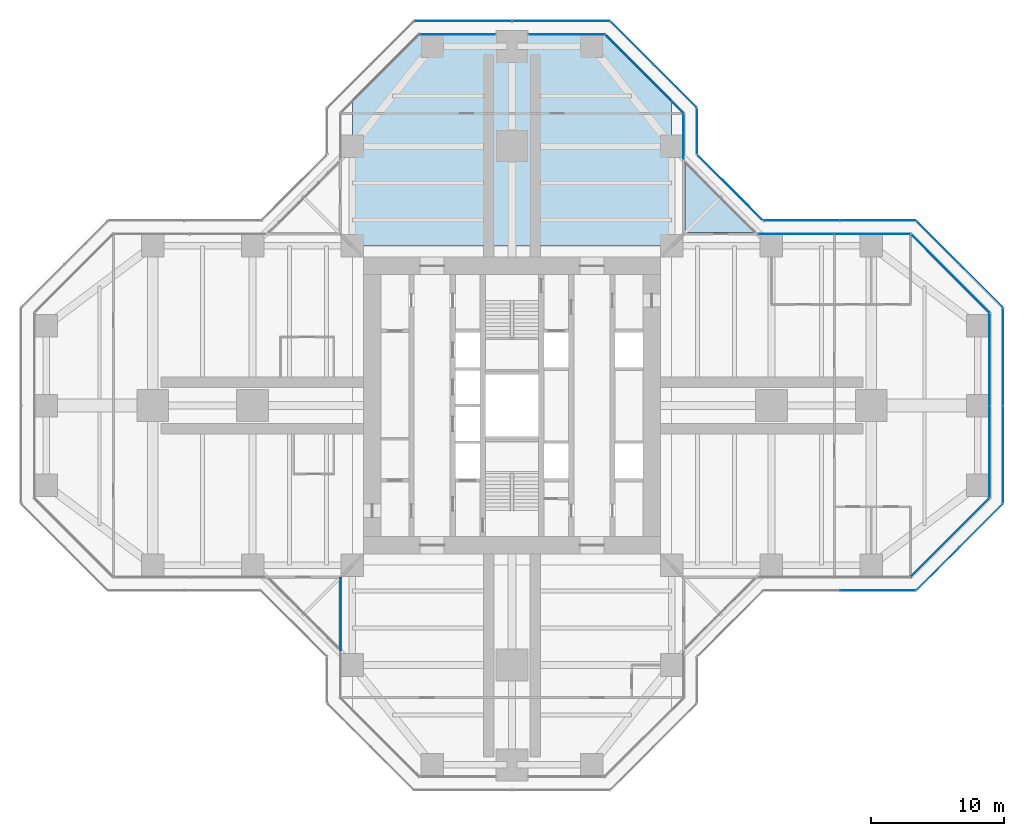
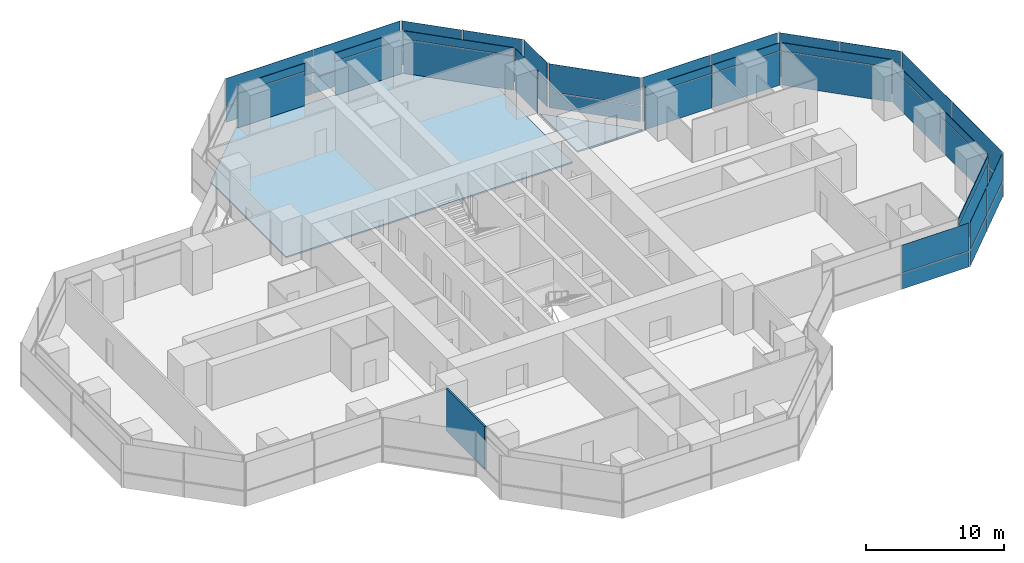
# One storey, part 14 of 19: 50 plates, 2 slabs, 1 wall, 17 elements without a shape of their own.
"""IFC4 building model written with IfcOpenShell, lengths in metres."""

from ifc_helpers import new_model, si_unit, direction, frame, frame_2d, origin, origin_2d, place, context, subcontext, project, spatial, polyline, rectangle, outline, extrude, material, layer, layer_set, type_object, element, aggregate, save


model = new_model("IFC4")

# Units and contexts
model_context = context("Model", 3, precision=1e-05, world=origin(), true_north=direction((0.0, 1.0)))
body_context = subcontext(model_context, "Body", "Model", "MODEL_VIEW")
ifc_project = project(units=[si_unit("LENGTHUNIT", "METRE"), si_unit("AREAUNIT", "SQUARE_METRE"), si_unit("VOLUMEUNIT", "CUBIC_METRE"), si_unit("PLANEANGLEUNIT", "RADIAN"), si_unit("MASSUNIT", "GRAM", prefix="KILO")], contexts=[model_context])

# Site, building, storey
site_placement = place(None, origin())
site = spatial("IfcSite", under=ifc_project, at=site_placement, CompositionType="ELEMENT")
building_placement = place(site_placement, origin())
building = spatial("IfcBuilding", under=site, at=building_placement, Name="Mizan Broadcast Tower", CompositionType="ELEMENT")
storey_placement = place(building_placement, frame((0.0, 0.0, 128.10009765625)))
storey = spatial("IfcBuildingStorey", under=building, at=storey_placement, Name="L28", CompositionType="ELEMENT", Elevation=128.10009765625)

# Slab
ifc_material_1 = material(Name="Concrete C32/40", Category="concrete")
ifc_layer_1 = layer(ifc_material_1, 0.1298828125)
ifc_layer_set_1 = layer_set([ifc_layer_1], Name="Concrete C32/40")
slab_type_1 = type_object("IfcSlabType", Name="COMPOSITE DECK SLAB 130", PredefinedType="FLOOR", material=ifc_layer_set_1)
slab_1_placement = place(storey_placement, frame((0.0, 0.0, -0.130126953125)))
element("IfcSlab", 1, at=slab_1_placement, inside=storey, type_object=slab_type_1, Name="Floor slab L28 north arm", PredefinedType="FLOOR", context=body_context, shape_type="SweptSolid", body=[
    extrude(outline(polyline([(-7.0, 28.0), (-12.0, 23.0), (-12.0, 12.0), (12.0, 12.0), (12.0, 23.0), (7.0, 28.0), (-7.0, 28.0)])), origin(), (0.0, 0.0, 1.0), 0.130126953125),
])

# Curtain wall, plate
ifc_material_2 = material(Name="Aluminium framed glazing", Category="aluminium")
curtain_wall_type_1 = type_object("IfcCurtainWallType", Name="INNER SKIN MID ZONE", PredefinedType="USERDEFINED", material=ifc_material_2)
curtain_wall_1_placement = place(storey_placement, origin())
curtain_wall_1 = element("IfcCurtainWall", 2, at=curtain_wall_1_placement, inside=storey, type_object=curtain_wall_type_1, Name="Inner skin mid zone L28 E chamfer", ObjectType="INNER SKIN MID ZONE", PredefinedType="USERDEFINED")
ifc_material_3 = material(Name="Double glazing, clear low-e", Category="glass")
ifc_layer_2 = layer(ifc_material_3, 0.028076171875)
ifc_layer_set_2 = layer_set([ifc_layer_2], Name="Double glazing, clear low-e")
plate_type_1 = type_object("IfcPlateType", Name="INNER SKIN GLAZING UNIT", PredefinedType="CURTAIN_PANEL", material=ifc_layer_set_2)
plate_1_placement = place(storey_placement, frame((32.92919921875, -9.92919921875, 0.0), z_axis=(0.0, 0.0, 1.0), x_axis=(0.707106781187, 0.707106781187, 0.0)))
plate_1 = element("IfcPlate", 3, at=plate_1_placement, type_object=plate_type_1, Name="Inner skin mid zone L28 E chamfer panel 1.1", PredefinedType="CURTAIN_PANEL", context=body_context, shape_type="SweptSolid", body=[
    extrude(rectangle(XDim=8.282470703125, YDim=0.028076171875, at=origin_2d()), origin(), (0.0, 0.0, 1.0), 3.0),
])

# Curtain wall, plates
curtain_wall_2_placement = place(storey_placement, origin())
curtain_wall_2 = element("IfcCurtainWall", 4, at=curtain_wall_2_placement, inside=storey, type_object=curtain_wall_type_1, Name="Inner skin mid zone L28 E end", ObjectType="INNER SKIN MID ZONE", PredefinedType="USERDEFINED")
plate_2_placement = place(storey_placement, frame((35.89990234375, -3.46435546875, 0.0), z_axis=(0.0, 0.0, 1.0), x_axis=(0.0, 1.0, 0.0)))
plate_2 = element("IfcPlate", 5, at=plate_2_placement, type_object=plate_type_1, Name="Inner skin mid zone L28 E end panel 1.1", PredefinedType="CURTAIN_PANEL", context=body_context, shape_type="SweptSolid", body=[
    extrude(rectangle(XDim=6.86865234375, YDim=0.028076171875, at=origin_2d()), origin(), (0.0, 0.0, 1.0), 3.0),
])
plate_3_placement = place(storey_placement, frame((35.89990234375, 3.46435546875, 0.0), z_axis=(0.0, 0.0, 1.0), x_axis=(0.0, 1.0, 0.0)))
plate_3 = element("IfcPlate", 6, at=plate_3_placement, type_object=plate_type_1, Name="Inner skin mid zone L28 E end panel 2.1", PredefinedType="CURTAIN_PANEL", context=body_context, shape_type="SweptSolid", body=[
    extrude(rectangle(XDim=6.86865234375, YDim=0.028076171875, at=origin_2d()), origin(), (0.0, 0.0, 1.0), 3.0),
])

# Curtain wall, plate
curtain_wall_3_placement = place(storey_placement, origin())
curtain_wall_3 = element("IfcCurtainWall", 7, at=curtain_wall_3_placement, inside=storey, type_object=curtain_wall_type_1, Name="Inner skin mid zone L28 E chamfer", ObjectType="INNER SKIN MID ZONE", PredefinedType="USERDEFINED")
plate_4_placement = place(storey_placement, frame((32.92919921875, 9.92919921875, 0.0), z_axis=(0.0, 0.0, 1.0), x_axis=(-0.707106781187, 0.707106781187, 0.0)))
plate_4 = element("IfcPlate", 8, at=plate_4_placement, type_object=plate_type_1, Name="Inner skin mid zone L28 E chamfer panel 1.1", PredefinedType="CURTAIN_PANEL", context=body_context, shape_type="SweptSolid", body=[
    extrude(rectangle(XDim=8.282470703125, YDim=0.028076171875, at=origin_2d()), origin(), (0.0, 0.0, 1.0), 3.0),
])

# Curtain wall, plates
curtain_wall_4_placement = place(storey_placement, origin())
curtain_wall_4 = element("IfcCurtainWall", 9, at=curtain_wall_4_placement, inside=storey, type_object=curtain_wall_type_1, Name="Inner skin mid zone L28 E side", ObjectType="INNER SKIN MID ZONE", PredefinedType="USERDEFINED")
plate_5_placement = place(storey_placement, frame((27.078857421875, 12.89990234375, 0.0), z_axis=(0.0, 0.0, 1.0), x_axis=(-1.0, 0.0, 0.0)))
plate_5 = element("IfcPlate", 10, at=plate_5_placement, type_object=plate_type_1, Name="Inner skin mid zone L28 E side panel 1.1", PredefinedType="CURTAIN_PANEL", context=body_context, shape_type="SweptSolid", body=[
    extrude(rectangle(XDim=5.639404296875, YDim=0.028076171875, at=origin_2d()), origin(), (0.0, 0.0, 1.0), 3.0),
])
plate_6_placement = place(storey_placement, frame((21.379638671875, 12.89990234375, 0.0), z_axis=(0.0, 0.0, 1.0), x_axis=(-1.0, 0.0, 0.0)))
plate_6 = element("IfcPlate", 11, at=plate_6_placement, type_object=plate_type_1, Name="Inner skin mid zone L28 E side panel 2.1", PredefinedType="CURTAIN_PANEL", context=body_context, shape_type="SweptSolid", body=[
    extrude(rectangle(XDim=5.639404296875, YDim=0.028076171875, at=origin_2d()), origin(), (0.0, 0.0, 1.0), 3.0),
])

# Curtain wall, plate
curtain_wall_5_placement = place(storey_placement, origin())
curtain_wall_5 = element("IfcCurtainWall", 12, at=curtain_wall_5_placement, inside=storey, type_object=curtain_wall_type_1, Name="Inner skin mid zone L28 N side", ObjectType="INNER SKIN MID ZONE", PredefinedType="USERDEFINED")
plate_7_placement = place(storey_placement, frame((12.89990234375, 20.229248046875, 0.0), z_axis=(0.0, 0.0, 1.0), x_axis=(0.0, 1.0, 0.0)))
plate_7 = element("IfcPlate", 13, at=plate_7_placement, type_object=plate_type_1, Name="Inner skin mid zone L28 N side panel 1.1", PredefinedType="CURTAIN_PANEL", context=body_context, shape_type="SweptSolid", body=[
    extrude(rectangle(XDim=3.338623046875, YDim=0.028076171875, at=origin_2d()), origin(), (0.0, 0.0, 1.0), 3.0),
])

curtain_wall_6_placement = place(storey_placement, origin())
curtain_wall_6 = element("IfcCurtainWall", 14, at=curtain_wall_6_placement, inside=storey, type_object=curtain_wall_type_1, Name="Inner skin mid zone L28 N chamfer", ObjectType="INNER SKIN MID ZONE", PredefinedType="USERDEFINED")
plate_8_placement = place(storey_placement, frame((9.92919921875, 24.92919921875, 0.0), z_axis=(0.0, 0.0, 1.0), x_axis=(-0.707106781187, 0.707106781187, 0.0)))
plate_8 = element("IfcPlate", 15, at=plate_8_placement, type_object=plate_type_1, Name="Inner skin mid zone L28 N chamfer panel 1.1", PredefinedType="CURTAIN_PANEL", context=body_context, shape_type="SweptSolid", body=[
    extrude(rectangle(XDim=8.282470703125, YDim=0.028076171875, at=origin_2d()), origin(), (0.0, 0.0, 1.0), 3.0),
])

curtain_wall_7_placement = place(storey_placement, origin())
curtain_wall_7 = element("IfcCurtainWall", 16, at=curtain_wall_7_placement, inside=storey, type_object=curtain_wall_type_1, Name="Inner skin mid zone L28 N end", ObjectType="INNER SKIN MID ZONE", PredefinedType="USERDEFINED")
plate_9_placement = place(storey_placement, frame((4.079345703125, 27.89990234375, 0.0), z_axis=(0.0, 0.0, 1.0), x_axis=(-1.0, 0.0, 0.0)))
plate_9 = element("IfcPlate", 17, at=plate_9_placement, type_object=plate_type_1, Name="Inner skin mid zone L28 N end panel 1.1", PredefinedType="CURTAIN_PANEL", context=body_context, shape_type="SweptSolid", body=[
    extrude(rectangle(XDim=5.638671875, YDim=0.028076171875, at=origin_2d()), origin(), (0.0, 0.0, 1.0), 3.0),
])

curtain_wall_8_placement = place(storey_placement, origin())
curtain_wall_8 = element("IfcCurtainWall", 18, at=curtain_wall_8_placement, inside=storey, type_object=curtain_wall_type_1, Name="Inner skin mid zone L28 N end", ObjectType="INNER SKIN MID ZONE", PredefinedType="USERDEFINED")
plate_10_placement = place(storey_placement, frame((-4.079345703125, 27.89990234375, 0.0), z_axis=(0.0, 0.0, 1.0), x_axis=(-1.0, 0.0, 0.0)))
plate_10 = element("IfcPlate", 19, at=plate_10_placement, type_object=plate_type_1, Name="Inner skin mid zone L28 N end panel 1.1", PredefinedType="CURTAIN_PANEL", context=body_context, shape_type="SweptSolid", body=[
    extrude(rectangle(XDim=5.638671875, YDim=0.028076171875, at=origin_2d()), origin(), (0.0, 0.0, 1.0), 3.0),
])

# Plate
ifc_material_4 = material(Name="Insulated aluminium spandrel panel, pale anodised", Category="aluminium")
ifc_layer_3 = layer(ifc_material_4, 0.050048828125)
ifc_layer_set_3 = layer_set([ifc_layer_3], Name="Insulated aluminium spandrel panel, pale anodised")
plate_type_2 = type_object("IfcPlateType", Name="INNER SKIN SPANDREL PANEL", PredefinedType="CURTAIN_PANEL", material=ifc_layer_set_3)
plate_11_placement = place(storey_placement, frame((32.92919921875, -9.92919921875, 3.059814453125), z_axis=(0.0, 0.0, 1.0), x_axis=(0.707106781187, 0.707106781187, 0.0)))
plate_11 = element("IfcPlate", 20, at=plate_11_placement, type_object=plate_type_2, Name="Inner skin mid zone L28 E chamfer panel 1.2", PredefinedType="CURTAIN_PANEL", context=body_context, shape_type="SweptSolid", body=[
    extrude(rectangle(XDim=8.282470703125, YDim=0.050048828125, at=origin_2d()), origin(), (0.0, 0.0, 1.0), 0.7099609375),
])

aggregate(curtain_wall_1, [plate_1, plate_11])

plate_12_placement = place(storey_placement, frame((35.89990234375, -3.46435546875, 3.059814453125), z_axis=(0.0, 0.0, 1.0), x_axis=(0.0, 1.0, 0.0)))
plate_12 = element("IfcPlate", 21, at=plate_12_placement, type_object=plate_type_2, Name="Inner skin mid zone L28 E end panel 1.2", PredefinedType="CURTAIN_PANEL", context=body_context, shape_type="SweptSolid", body=[
    extrude(rectangle(XDim=6.86865234375, YDim=0.050048828125, at=origin_2d()), origin(), (0.0, 0.0, 1.0), 0.7099609375),
])

plate_13_placement = place(storey_placement, frame((35.89990234375, 3.46435546875, 3.059814453125), z_axis=(0.0, 0.0, 1.0), x_axis=(0.0, 1.0, 0.0)))
plate_13 = element("IfcPlate", 22, at=plate_13_placement, type_object=plate_type_2, Name="Inner skin mid zone L28 E end panel 2.2", PredefinedType="CURTAIN_PANEL", context=body_context, shape_type="SweptSolid", body=[
    extrude(rectangle(XDim=6.86865234375, YDim=0.050048828125, at=origin_2d()), origin(), (0.0, 0.0, 1.0), 0.7099609375),
])

aggregate(curtain_wall_2, [plate_2, plate_12, plate_3, plate_13])

plate_14_placement = place(storey_placement, frame((32.92919921875, 9.92919921875, 3.059814453125), z_axis=(0.0, 0.0, 1.0), x_axis=(-0.707106781187, 0.707106781187, 0.0)))
plate_14 = element("IfcPlate", 23, at=plate_14_placement, type_object=plate_type_2, Name="Inner skin mid zone L28 E chamfer panel 1.2", PredefinedType="CURTAIN_PANEL", context=body_context, shape_type="SweptSolid", body=[
    extrude(rectangle(XDim=8.282470703125, YDim=0.050048828125, at=origin_2d()), origin(), (0.0, 0.0, 1.0), 0.7099609375),
])

aggregate(curtain_wall_3, [plate_4, plate_14])

plate_15_placement = place(storey_placement, frame((27.078857421875, 12.89990234375, 3.059814453125), z_axis=(0.0, 0.0, 1.0), x_axis=(-1.0, 0.0, 0.0)))
plate_15 = element("IfcPlate", 24, at=plate_15_placement, type_object=plate_type_2, Name="Inner skin mid zone L28 E side panel 1.2", PredefinedType="CURTAIN_PANEL", context=body_context, shape_type="SweptSolid", body=[
    extrude(rectangle(XDim=5.639404296875, YDim=0.050048828125, at=origin_2d()), origin(), (0.0, 0.0, 1.0), 0.7099609375),
])

plate_16_placement = place(storey_placement, frame((21.379638671875, 12.89990234375, 3.059814453125), z_axis=(0.0, 0.0, 1.0), x_axis=(-1.0, 0.0, 0.0)))
plate_16 = element("IfcPlate", 25, at=plate_16_placement, type_object=plate_type_2, Name="Inner skin mid zone L28 E side panel 2.2", PredefinedType="CURTAIN_PANEL", context=body_context, shape_type="SweptSolid", body=[
    extrude(rectangle(XDim=5.639404296875, YDim=0.050048828125, at=origin_2d()), origin(), (0.0, 0.0, 1.0), 0.7099609375),
])

aggregate(curtain_wall_4, [plate_5, plate_15, plate_6, plate_16])

plate_17_placement = place(storey_placement, frame((12.89990234375, 20.229248046875, 3.059814453125), z_axis=(0.0, 0.0, 1.0), x_axis=(0.0, 1.0, 0.0)))
plate_17 = element("IfcPlate", 26, at=plate_17_placement, type_object=plate_type_2, Name="Inner skin mid zone L28 N side panel 1.2", PredefinedType="CURTAIN_PANEL", context=body_context, shape_type="SweptSolid", body=[
    extrude(rectangle(XDim=3.338623046875, YDim=0.050048828125, at=origin_2d()), origin(), (0.0, 0.0, 1.0), 0.7099609375),
])

aggregate(curtain_wall_5, [plate_7, plate_17])

plate_18_placement = place(storey_placement, frame((9.92919921875, 24.92919921875, 3.059814453125), z_axis=(0.0, 0.0, 1.0), x_axis=(-0.707106781187, 0.707106781187, 0.0)))
plate_18 = element("IfcPlate", 27, at=plate_18_placement, type_object=plate_type_2, Name="Inner skin mid zone L28 N chamfer panel 1.2", PredefinedType="CURTAIN_PANEL", context=body_context, shape_type="SweptSolid", body=[
    extrude(rectangle(XDim=8.282470703125, YDim=0.050048828125, at=origin_2d()), origin(), (0.0, 0.0, 1.0), 0.7099609375),
])

aggregate(curtain_wall_6, [plate_8, plate_18])

plate_19_placement = place(storey_placement, frame((4.079345703125, 27.89990234375, 3.059814453125), z_axis=(0.0, 0.0, 1.0), x_axis=(-1.0, 0.0, 0.0)))
plate_19 = element("IfcPlate", 28, at=plate_19_placement, type_object=plate_type_2, Name="Inner skin mid zone L28 N end panel 1.2", PredefinedType="CURTAIN_PANEL", context=body_context, shape_type="SweptSolid", body=[
    extrude(rectangle(XDim=5.638671875, YDim=0.050048828125, at=origin_2d()), origin(), (0.0, 0.0, 1.0), 0.7099609375),
])

aggregate(curtain_wall_7, [plate_9, plate_19])

plate_20_placement = place(storey_placement, frame((-4.079345703125, 27.89990234375, 3.059814453125), z_axis=(0.0, 0.0, 1.0), x_axis=(-1.0, 0.0, 0.0)))
plate_20 = element("IfcPlate", 29, at=plate_20_placement, type_object=plate_type_2, Name="Inner skin mid zone L28 N end panel 1.2", PredefinedType="CURTAIN_PANEL", context=body_context, shape_type="SweptSolid", body=[
    extrude(rectangle(XDim=5.638671875, YDim=0.050048828125, at=origin_2d()), origin(), (0.0, 0.0, 1.0), 0.7099609375),
])

aggregate(curtain_wall_8, [plate_10, plate_20])

# Curtain wall, plates
ifc_material_5 = material(Name="Aluminium framed glazing", Category="aluminium")
curtain_wall_type_2 = type_object("IfcCurtainWallType", Name="OUTER SKIN", PredefinedType="USERDEFINED", material=ifc_material_5)
curtain_wall_9_placement = place(storey_placement, origin())
curtain_wall_9 = element("IfcCurtainWall", 30, at=curtain_wall_9_placement, inside=storey, type_object=curtain_wall_type_2, Name="Outer skin L28 E chamfer", ObjectType="OUTER SKIN", PredefinedType="USERDEFINED")
ifc_material_6 = material(Name="Laminated clear glass", Category="glass")
ifc_layer_4 = layer(ifc_material_6, 0.02001953125)
ifc_layer_set_4 = layer_set([ifc_layer_4], Name="Laminated clear glass")
plate_type_3 = type_object("IfcPlateType", Name="OUTER SKIN CLEAR GLASS", PredefinedType="CURTAIN_PANEL", material=ifc_layer_set_4)
plate_21_placement = place(storey_placement, frame((32.018798828125, -12.254150390625, -0.000244140625), z_axis=(0.0, 0.0, 1.0), x_axis=(0.707106781187, 0.707106781187, 0.0)))
plate_21 = element("IfcPlate", 31, at=plate_21_placement, type_object=plate_type_3, Name="Outer skin L28 E chamfer panel 1.1", PredefinedType="CURTAIN_PANEL", context=body_context, shape_type="SweptSolid", body=[
    extrude(rectangle(XDim=4.495361328125, YDim=0.02001953125, at=origin_2d()), origin(), (0.0, 0.0, 1.0), 1.3701171875),
])
plate_22_placement = place(storey_placement, frame((32.018798828125, -12.254150390625, 1.4296875), z_axis=(0.0, 0.0, 1.0), x_axis=(0.707106781187, 0.707106781187, 0.0)))
plate_22 = element("IfcPlate", 32, at=plate_22_placement, type_object=plate_type_3, Name="Outer skin L28 E chamfer panel 1.2", PredefinedType="CURTAIN_PANEL", context=body_context, shape_type="SweptSolid", body=[
    extrude(rectangle(XDim=4.495361328125, YDim=0.02001953125, at=origin_2d()), origin(), (0.0, 0.0, 1.0), 2.469970703125),
])

curtain_wall_10_placement = place(storey_placement, origin())
curtain_wall_10 = element("IfcCurtainWall", 33, at=curtain_wall_10_placement, inside=storey, type_object=curtain_wall_type_2, Name="Outer skin L28 E end", ObjectType="OUTER SKIN", PredefinedType="USERDEFINED")
plate_23_placement = place(storey_placement, frame((36.89990234375, -3.66650390625, -0.000244140625), z_axis=(0.0, 0.0, 1.0), x_axis=(0.0, 1.0, 0.0)))
plate_23 = element("IfcPlate", 34, at=plate_23_placement, type_object=plate_type_3, Name="Outer skin L28 E end panel 1.1", PredefinedType="CURTAIN_PANEL", context=body_context, shape_type="SweptSolid", body=[
    extrude(rectangle(XDim=7.252685546875, YDim=0.02001953125, at=origin_2d()), origin(), (0.0, 0.0, 1.0), 1.3701171875),
])
plate_24_placement = place(storey_placement, frame((36.89990234375, -3.66650390625, 1.4296875), z_axis=(0.0, 0.0, 1.0), x_axis=(0.0, 1.0, 0.0)))
plate_24 = element("IfcPlate", 35, at=plate_24_placement, type_object=plate_type_3, Name="Outer skin L28 E end panel 1.2", PredefinedType="CURTAIN_PANEL", context=body_context, shape_type="SweptSolid", body=[
    extrude(rectangle(XDim=7.252685546875, YDim=0.02001953125, at=origin_2d()), origin(), (0.0, 0.0, 1.0), 2.469970703125),
])

curtain_wall_11_placement = place(storey_placement, origin())
curtain_wall_11 = element("IfcCurtainWall", 36, at=curtain_wall_11_placement, inside=storey, type_object=curtain_wall_type_2, Name="Outer skin L28 E chamfer", ObjectType="OUTER SKIN", PredefinedType="USERDEFINED")
plate_25_placement = place(storey_placement, frame((35.254150390625, 9.018798828125, -0.000244140625), z_axis=(0.0, 0.0, 1.0), x_axis=(-0.707106781187, 0.707106781187, 0.0)))
plate_25 = element("IfcPlate", 37, at=plate_25_placement, type_object=plate_type_3, Name="Outer skin L28 E chamfer panel 1.1", PredefinedType="CURTAIN_PANEL", context=body_context, shape_type="SweptSolid", body=[
    extrude(rectangle(XDim=4.495361328125, YDim=0.02001953125, at=origin_2d()), origin(), (0.0, 0.0, 1.0), 1.3701171875),
])
plate_26_placement = place(storey_placement, frame((35.254150390625, 9.018798828125, 1.4296875), z_axis=(0.0, 0.0, 1.0), x_axis=(-0.707106781187, 0.707106781187, 0.0)))
plate_26 = element("IfcPlate", 38, at=plate_26_placement, type_object=plate_type_3, Name="Outer skin L28 E chamfer panel 1.2", PredefinedType="CURTAIN_PANEL", context=body_context, shape_type="SweptSolid", body=[
    extrude(rectangle(XDim=4.495361328125, YDim=0.02001953125, at=origin_2d()), origin(), (0.0, 0.0, 1.0), 2.469970703125),
])

curtain_wall_12_placement = place(storey_placement, origin())
curtain_wall_12 = element("IfcCurtainWall", 39, at=curtain_wall_12_placement, inside=storey, type_object=curtain_wall_type_2, Name="Outer skin L28 E side", ObjectType="OUTER SKIN", PredefinedType="USERDEFINED")
plate_27_placement = place(storey_placement, frame((27.477783203125, 13.89990234375, -0.000244140625), z_axis=(0.0, 0.0, 1.0), x_axis=(-1.0, 0.0, 0.0)))
plate_27 = element("IfcPlate", 40, at=plate_27_placement, type_object=plate_type_3, Name="Outer skin L28 E side panel 1.1", PredefinedType="CURTAIN_PANEL", context=body_context, shape_type="SweptSolid", body=[
    extrude(rectangle(XDim=5.6298828125, YDim=0.02001953125, at=origin_2d()), origin(), (0.0, 0.0, 1.0), 1.3701171875),
])
plate_28_placement = place(storey_placement, frame((27.477783203125, 13.89990234375, 1.4296875), z_axis=(0.0, 0.0, 1.0), x_axis=(-1.0, 0.0, 0.0)))
plate_28 = element("IfcPlate", 41, at=plate_28_placement, type_object=plate_type_3, Name="Outer skin L28 E side panel 1.2", PredefinedType="CURTAIN_PANEL", context=body_context, shape_type="SweptSolid", body=[
    extrude(rectangle(XDim=5.6298828125, YDim=0.02001953125, at=origin_2d()), origin(), (0.0, 0.0, 1.0), 2.469970703125),
])
plate_29_placement = place(storey_placement, frame((21.767822265625, 13.89990234375, -0.000244140625), z_axis=(0.0, 0.0, 1.0), x_axis=(-1.0, 0.0, 0.0)))
plate_29 = element("IfcPlate", 42, at=plate_29_placement, type_object=plate_type_3, Name="Outer skin L28 E side panel 2.1", PredefinedType="CURTAIN_PANEL", context=body_context, shape_type="SweptSolid", body=[
    extrude(rectangle(XDim=5.6298828125, YDim=0.02001953125, at=origin_2d()), origin(), (0.0, 0.0, 1.0), 1.3701171875),
])
plate_30_placement = place(storey_placement, frame((21.767822265625, 13.89990234375, 1.4296875), z_axis=(0.0, 0.0, 1.0), x_axis=(-1.0, 0.0, 0.0)))
plate_30 = element("IfcPlate", 43, at=plate_30_placement, type_object=plate_type_3, Name="Outer skin L28 E side panel 2.2", PredefinedType="CURTAIN_PANEL", context=body_context, shape_type="SweptSolid", body=[
    extrude(rectangle(XDim=5.6298828125, YDim=0.02001953125, at=origin_2d()), origin(), (0.0, 0.0, 1.0), 2.469970703125),
])
aggregate(curtain_wall_12, [plate_27, plate_28, plate_29, plate_30])

curtain_wall_13_placement = place(storey_placement, origin())
curtain_wall_13 = element("IfcCurtainWall", 44, at=curtain_wall_13_placement, inside=storey, type_object=curtain_wall_type_2, Name="Outer skin L28 E chamfer", ObjectType="OUTER SKIN", PredefinedType="USERDEFINED")
plate_31_placement = place(storey_placement, frame((16.386474609375, 16.386474609375, -0.000244140625), z_axis=(0.0, 0.0, 1.0), x_axis=(-0.707106781187, 0.707106781187, 0.0)))
plate_31 = element("IfcPlate", 45, at=plate_31_placement, type_object=plate_type_3, Name="Outer skin L28 E chamfer panel 1.1", PredefinedType="CURTAIN_PANEL", context=body_context, shape_type="SweptSolid", body=[
    extrude(rectangle(XDim=6.87255859375, YDim=0.02001953125, at=origin_2d()), origin(), (0.0, 0.0, 1.0), 1.3701171875),
])
plate_32_placement = place(storey_placement, frame((16.386474609375, 16.386474609375, 1.4296875), z_axis=(0.0, 0.0, 1.0), x_axis=(-0.707106781187, 0.707106781187, 0.0)))
plate_32 = element("IfcPlate", 46, at=plate_32_placement, type_object=plate_type_3, Name="Outer skin L28 E chamfer panel 1.2", PredefinedType="CURTAIN_PANEL", context=body_context, shape_type="SweptSolid", body=[
    extrude(rectangle(XDim=6.87255859375, YDim=0.02001953125, at=origin_2d()), origin(), (0.0, 0.0, 1.0), 2.469970703125),
])
aggregate(curtain_wall_13, [plate_31, plate_32])

curtain_wall_14_placement = place(storey_placement, origin())
curtain_wall_14 = element("IfcCurtainWall", 47, at=curtain_wall_14_placement, inside=storey, type_object=curtain_wall_type_2, Name="Outer skin L28 N side", ObjectType="OUTER SKIN", PredefinedType="USERDEFINED")
plate_33_placement = place(storey_placement, frame((13.89990234375, 20.622802734375, -0.000244140625), z_axis=(0.0, 0.0, 1.0), x_axis=(0.0, 1.0, 0.0)))
plate_33 = element("IfcPlate", 48, at=plate_33_placement, type_object=plate_type_3, Name="Outer skin L28 N side panel 1.1", PredefinedType="CURTAIN_PANEL", context=body_context, shape_type="SweptSolid", body=[
    extrude(rectangle(XDim=3.340087890625, YDim=0.02001953125, at=origin_2d()), origin(), (0.0, 0.0, 1.0), 1.3701171875),
])
plate_34_placement = place(storey_placement, frame((13.89990234375, 20.622802734375, 1.4296875), z_axis=(0.0, 0.0, 1.0), x_axis=(0.0, 1.0, 0.0)))
plate_34 = element("IfcPlate", 49, at=plate_34_placement, type_object=plate_type_3, Name="Outer skin L28 N side panel 1.2", PredefinedType="CURTAIN_PANEL", context=body_context, shape_type="SweptSolid", body=[
    extrude(rectangle(XDim=3.340087890625, YDim=0.02001953125, at=origin_2d()), origin(), (0.0, 0.0, 1.0), 2.469970703125),
])
aggregate(curtain_wall_14, [plate_33, plate_34])

curtain_wall_15_placement = place(storey_placement, origin())
curtain_wall_15 = element("IfcCurtainWall", 50, at=curtain_wall_15_placement, inside=storey, type_object=curtain_wall_type_2, Name="Outer skin L28 N chamfer", ObjectType="OUTER SKIN", PredefinedType="USERDEFINED")
plate_35_placement = place(storey_placement, frame((12.254150390625, 24.018798828125, -0.000244140625), z_axis=(0.0, 0.0, 1.0), x_axis=(-0.707106781187, 0.707106781187, 0.0)))
plate_35 = element("IfcPlate", 51, at=plate_35_placement, type_object=plate_type_3, Name="Outer skin L28 N chamfer panel 1.1", PredefinedType="CURTAIN_PANEL", context=body_context, shape_type="SweptSolid", body=[
    extrude(rectangle(XDim=4.495361328125, YDim=0.02001953125, at=origin_2d()), origin(), (0.0, 0.0, 1.0), 1.3701171875),
])
plate_36_placement = place(storey_placement, frame((12.254150390625, 24.018798828125, 1.4296875), z_axis=(0.0, 0.0, 1.0), x_axis=(-0.707106781187, 0.707106781187, 0.0)))
plate_36 = element("IfcPlate", 52, at=plate_36_placement, type_object=plate_type_3, Name="Outer skin L28 N chamfer panel 1.2", PredefinedType="CURTAIN_PANEL", context=body_context, shape_type="SweptSolid", body=[
    extrude(rectangle(XDim=4.495361328125, YDim=0.02001953125, at=origin_2d()), origin(), (0.0, 0.0, 1.0), 2.469970703125),
])

curtain_wall_16_placement = place(storey_placement, origin())
curtain_wall_16 = element("IfcCurtainWall", 53, at=curtain_wall_16_placement, inside=storey, type_object=curtain_wall_type_2, Name="Outer skin L28 N end", ObjectType="OUTER SKIN", PredefinedType="USERDEFINED")
plate_37_placement = place(storey_placement, frame((3.66650390625, 28.89990234375, -0.000244140625), z_axis=(0.0, 0.0, 1.0), x_axis=(-1.0, 0.0, 0.0)))
plate_37 = element("IfcPlate", 54, at=plate_37_placement, type_object=plate_type_3, Name="Outer skin L28 N end panel 1.1", PredefinedType="CURTAIN_PANEL", context=body_context, shape_type="SweptSolid", body=[
    extrude(rectangle(XDim=7.252685546875, YDim=0.02001953125, at=origin_2d()), origin(), (0.0, 0.0, 1.0), 1.3701171875),
])
plate_38_placement = place(storey_placement, frame((3.66650390625, 28.89990234375, 1.4296875), z_axis=(0.0, 0.0, 1.0), x_axis=(-1.0, 0.0, 0.0)))
plate_38 = element("IfcPlate", 55, at=plate_38_placement, type_object=plate_type_3, Name="Outer skin L28 N end panel 1.2", PredefinedType="CURTAIN_PANEL", context=body_context, shape_type="SweptSolid", body=[
    extrude(rectangle(XDim=7.252685546875, YDim=0.02001953125, at=origin_2d()), origin(), (0.0, 0.0, 1.0), 2.469970703125),
])
plate_39_placement = place(storey_placement, frame((-3.66650390625, 28.89990234375, -0.000244140625), z_axis=(0.0, 0.0, 1.0), x_axis=(-1.0, 0.0, 0.0)))
plate_39 = element("IfcPlate", 56, at=plate_39_placement, type_object=plate_type_3, Name="Outer skin L28 N end panel 2.1", PredefinedType="CURTAIN_PANEL", context=body_context, shape_type="SweptSolid", body=[
    extrude(rectangle(XDim=7.252685546875, YDim=0.02001953125, at=origin_2d()), origin(), (0.0, 0.0, 1.0), 1.3701171875),
])
plate_40_placement = place(storey_placement, frame((-3.66650390625, 28.89990234375, 1.4296875), z_axis=(0.0, 0.0, 1.0), x_axis=(-1.0, 0.0, 0.0)))
plate_40 = element("IfcPlate", 57, at=plate_40_placement, type_object=plate_type_3, Name="Outer skin L28 N end panel 2.2", PredefinedType="CURTAIN_PANEL", context=body_context, shape_type="SweptSolid", body=[
    extrude(rectangle(XDim=7.252685546875, YDim=0.02001953125, at=origin_2d()), origin(), (0.0, 0.0, 1.0), 2.469970703125),
])
aggregate(curtain_wall_16, [plate_37, plate_38, plate_39, plate_40])

# Plate
ifc_material_7 = material(Name="Perforated aluminium, pale anodised", Category="aluminium")
ifc_layer_5 = layer(ifc_material_7, 0.011962890625)
ifc_layer_set_5 = layer_set([ifc_layer_5], Name="Perforated aluminium, pale anodised")
plate_type_4 = type_object("IfcPlateType", Name="OUTER SKIN PERFORATED SCREEN", PredefinedType="USERDEFINED", material=ifc_layer_set_5)
plate_41_placement = place(storey_placement, frame((35.254150390625, -9.018798828125, -0.000244140625), z_axis=(0.0, 0.0, 1.0), x_axis=(0.707106781187, 0.707106781187, 0.0)))
plate_41 = element("IfcPlate", 58, at=plate_41_placement, type_object=plate_type_4, Name="Outer skin L28 E chamfer panel 2.1", ObjectType="SCREEN", PredefinedType="USERDEFINED", context=body_context, shape_type="SweptSolid", body=[
    extrude(rectangle(XDim=4.495361328125, YDim=0.011962890625, at=origin_2d()), origin(), (0.0, 0.0, 1.0), 1.3701171875),
])

plate_42_placement = place(storey_placement, frame((35.254150390625, -9.018798828125, 1.4296875), z_axis=(0.0, 0.0, 1.0), x_axis=(0.707106781187, 0.707106781187, 0.0)))
plate_42 = element("IfcPlate", 59, at=plate_42_placement, type_object=plate_type_4, Name="Outer skin L28 E chamfer panel 2.2", ObjectType="SCREEN", PredefinedType="USERDEFINED", context=body_context, shape_type="SweptSolid", body=[
    extrude(rectangle(XDim=4.495361328125, YDim=0.011962890625, at=origin_2d()), origin(), (0.0, 0.0, 1.0), 2.469970703125),
])

aggregate(curtain_wall_9, [plate_21, plate_22, plate_41, plate_42])

plate_43_placement = place(storey_placement, frame((36.89990234375, 3.66650390625, -0.000244140625), z_axis=(0.0, 0.0, 1.0), x_axis=(0.0, 1.0, 0.0)))
plate_43 = element("IfcPlate", 60, at=plate_43_placement, type_object=plate_type_4, Name="Outer skin L28 E end panel 2.1", ObjectType="SCREEN", PredefinedType="USERDEFINED", context=body_context, shape_type="SweptSolid", body=[
    extrude(rectangle(XDim=7.252685546875, YDim=0.011962890625, at=origin_2d()), origin(), (0.0, 0.0, 1.0), 1.3701171875),
])

plate_44_placement = place(storey_placement, frame((36.89990234375, 3.66650390625, 1.4296875), z_axis=(0.0, 0.0, 1.0), x_axis=(0.0, 1.0, 0.0)))
plate_44 = element("IfcPlate", 61, at=plate_44_placement, type_object=plate_type_4, Name="Outer skin L28 E end panel 2.2", ObjectType="SCREEN", PredefinedType="USERDEFINED", context=body_context, shape_type="SweptSolid", body=[
    extrude(rectangle(XDim=7.252685546875, YDim=0.011962890625, at=origin_2d()), origin(), (0.0, 0.0, 1.0), 2.469970703125),
])

aggregate(curtain_wall_10, [plate_23, plate_24, plate_43, plate_44])

plate_45_placement = place(storey_placement, frame((32.018798828125, 12.254150390625, -0.000244140625), z_axis=(0.0, 0.0, 1.0), x_axis=(-0.707106781187, 0.707106781187, 0.0)))
plate_45 = element("IfcPlate", 62, at=plate_45_placement, type_object=plate_type_4, Name="Outer skin L28 E chamfer panel 2.1", ObjectType="SCREEN", PredefinedType="USERDEFINED", context=body_context, shape_type="SweptSolid", body=[
    extrude(rectangle(XDim=4.495361328125, YDim=0.011962890625, at=origin_2d()), origin(), (0.0, 0.0, 1.0), 1.3701171875),
])

plate_46_placement = place(storey_placement, frame((32.018798828125, 12.254150390625, 1.4296875), z_axis=(0.0, 0.0, 1.0), x_axis=(-0.707106781187, 0.707106781187, 0.0)))
plate_46 = element("IfcPlate", 63, at=plate_46_placement, type_object=plate_type_4, Name="Outer skin L28 E chamfer panel 2.2", ObjectType="SCREEN", PredefinedType="USERDEFINED", context=body_context, shape_type="SweptSolid", body=[
    extrude(rectangle(XDim=4.495361328125, YDim=0.011962890625, at=origin_2d()), origin(), (0.0, 0.0, 1.0), 2.469970703125),
])

aggregate(curtain_wall_11, [plate_25, plate_26, plate_45, plate_46])

plate_47_placement = place(storey_placement, frame((9.018798828125, 27.254150390625, -0.000244140625), z_axis=(0.0, 0.0, 1.0), x_axis=(-0.707106781187, 0.707106781187, 0.0)))
plate_47 = element("IfcPlate", 64, at=plate_47_placement, type_object=plate_type_4, Name="Outer skin L28 N chamfer panel 2.1", ObjectType="SCREEN", PredefinedType="USERDEFINED", context=body_context, shape_type="SweptSolid", body=[
    extrude(rectangle(XDim=4.495361328125, YDim=0.011962890625, at=origin_2d()), origin(), (0.0, 0.0, 1.0), 1.3701171875),
])

plate_48_placement = place(storey_placement, frame((9.018798828125, 27.254150390625, 1.4296875), z_axis=(0.0, 0.0, 1.0), x_axis=(-0.707106781187, 0.707106781187, 0.0)))
plate_48 = element("IfcPlate", 65, at=plate_48_placement, type_object=plate_type_4, Name="Outer skin L28 N chamfer panel 2.2", ObjectType="SCREEN", PredefinedType="USERDEFINED", context=body_context, shape_type="SweptSolid", body=[
    extrude(rectangle(XDim=4.495361328125, YDim=0.011962890625, at=origin_2d()), origin(), (0.0, 0.0, 1.0), 2.469970703125),
])

aggregate(curtain_wall_15, [plate_35, plate_36, plate_47, plate_48])

# Curtain wall, plates
curtain_wall_17_placement = place(storey_placement, origin())
curtain_wall_17 = element("IfcCurtainWall", 66, at=curtain_wall_17_placement, inside=storey, type_object=curtain_wall_type_2, Name="Outer skin L28 E side", ObjectType="OUTER SKIN", PredefinedType="USERDEFINED")
plate_49_placement = place(storey_placement, frame((27.477783203125, -13.89990234375, -0.000244140625), z_axis=(0.0, 0.0, 1.0), x_axis=(1.0, 0.0, 0.0)))
plate_49 = element("IfcPlate", 67, at=plate_49_placement, type_object=plate_type_4, Name="Outer skin L28 E side panel 2.1", ObjectType="SCREEN", PredefinedType="USERDEFINED", context=body_context, shape_type="SweptSolid", body=[
    extrude(rectangle(XDim=5.6298828125, YDim=0.011962890625, at=origin_2d()), origin(), (0.0, 0.0, 1.0), 1.3701171875),
])
plate_50_placement = place(storey_placement, frame((27.477783203125, -13.89990234375, 1.4296875), z_axis=(0.0, 0.0, 1.0), x_axis=(1.0, 0.0, 0.0)))
plate_50 = element("IfcPlate", 68, at=plate_50_placement, type_object=plate_type_4, Name="Outer skin L28 E side panel 2.2", ObjectType="SCREEN", PredefinedType="USERDEFINED", context=body_context, shape_type="SweptSolid", body=[
    extrude(rectangle(XDim=5.6298828125, YDim=0.011962890625, at=origin_2d()), origin(), (0.0, 0.0, 1.0), 2.469970703125),
])
aggregate(curtain_wall_17, [plate_49, plate_50])

# Slab
ifc_material_8 = material(Name="Concrete C32/40", Category="concrete")
ifc_layer_6 = layer(ifc_material_8, 0.1298828125)
ifc_layer_set_6 = layer_set([ifc_layer_6], Name="Concrete C32/40")
slab_type_2 = type_object("IfcSlabType", Name="WINTER GARDEN SLAB 130", PredefinedType="FLOOR", material=ifc_layer_set_6)
slab_2_placement = place(storey_placement, frame((0.0, 0.0, -0.130126953125)))
element("IfcSlab", 69, at=slab_2_placement, inside=storey, type_object=slab_type_2, Name="Winter garden slab L28 E", PredefinedType="FLOOR", context=body_context, shape_type="SweptSolid", body=[
    extrude(outline(polyline([(13.0, 13.0), (18.5, 13.0), (13.0, 18.5), (13.0, 13.0)])), origin(), (0.0, 0.0, 1.0), 0.130126953125),
])

# Wall
ifc_material_9 = material(Name="Aluminium framed glazed screen", Category="aluminium")
ifc_layer_7 = layer(ifc_material_9, 0.159912109375)
ifc_layer_set_7 = layer_set([ifc_layer_7], Name="Aluminium framed glazed screen")
wall_type = type_object("IfcWallType", Name="GLAZED SCREEN WALL 160", PredefinedType="SOLIDWALL", material=ifc_layer_set_7)
wall_placement = place(storey_placement, frame((-12.89990234375, -12.89990234375, 0.0), z_axis=(0.0, 0.0, 1.0), x_axis=(0.0, -1.0, 0.0)))
element("IfcWall", 70, at=wall_placement, inside=storey, type_object=wall_type, Name="Winter garden screen L28 S", PredefinedType="SOLIDWALL", context=body_context, shape_type="SweptSolid", body=[
    extrude(rectangle(XDim=5.60009765625, YDim=0.159912109375, at=frame_2d((2.800048828125, 0.0))), origin(), (0.0, 0.0, 1.0), 3.77001953125),
])

save(model, "model.ifc")
